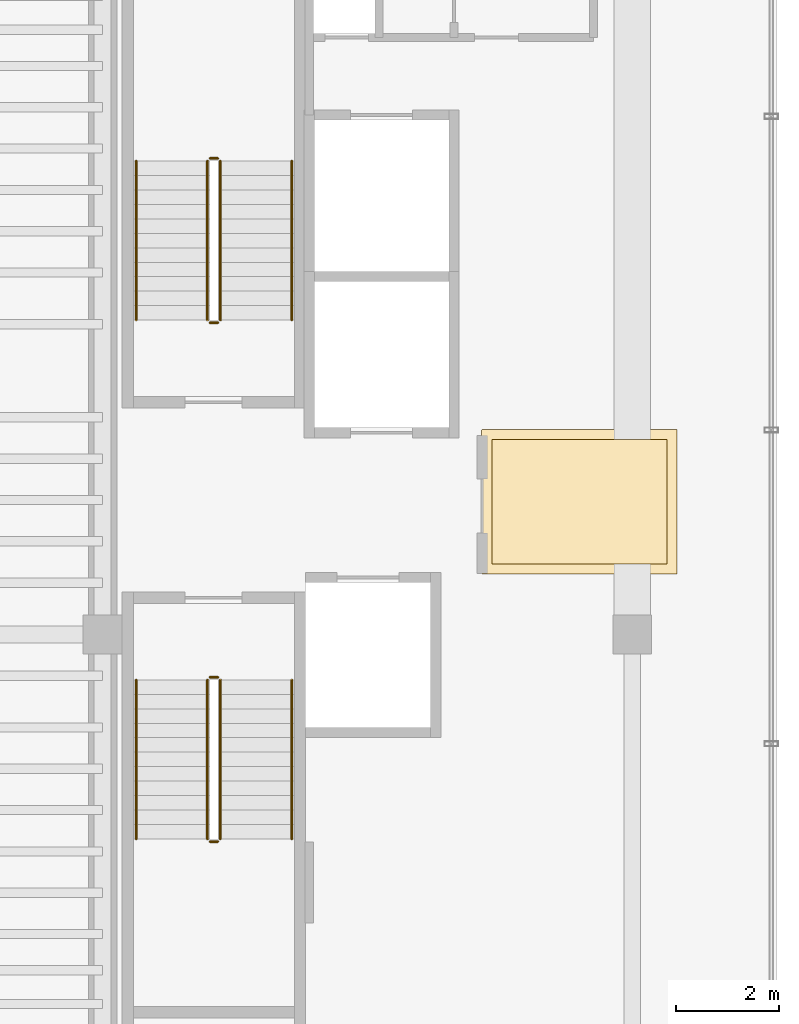
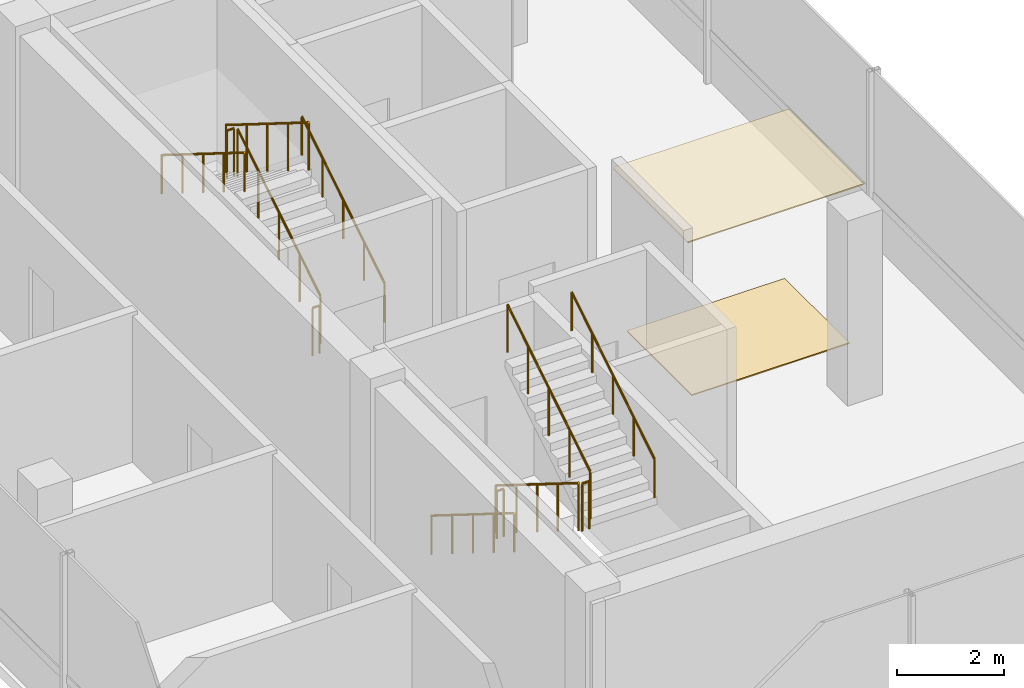
# One storey, part 11 of 11: 12 railings, 2 coverings.
"""IFC4 building model written with IfcOpenShell, lengths in metres."""

from ifc_helpers import new_model, si_unit, direction, frame, origin, origin_2d, place, context, subcontext, project, spatial, polyline, circle, outline, extrude, material, layer, layer_set, type_object, element, save


model = new_model("IFC4")

# Units and contexts
model_context = context("Model", 3, precision=1e-05, world=origin(), true_north=direction((0.0, 1.0)))
body_context = subcontext(model_context, "Body", "Model", "MODEL_VIEW")
ifc_project = project(units=[si_unit("LENGTHUNIT", "METRE"), si_unit("AREAUNIT", "SQUARE_METRE"), si_unit("VOLUMEUNIT", "CUBIC_METRE"), si_unit("PLANEANGLEUNIT", "RADIAN"), si_unit("MASSUNIT", "GRAM", prefix="KILO")], contexts=[model_context])

# Site, building, storey
site_placement = place(None, origin())
site = spatial("IfcSite", under=ifc_project, at=site_placement, CompositionType="ELEMENT")
building_placement = place(site_placement, origin())
building = spatial("IfcBuilding", under=site, at=building_placement, Name="Valdorenza Pilgrim Sanctuary Tower", CompositionType="ELEMENT")
storey_placement = place(building_placement, frame((0.0, 0.0, 299.39990234375)))
storey = spatial("IfcBuildingStorey", under=building, at=storey_placement, Name="L78", CompositionType="ELEMENT", Elevation=299.39990234375)

# Coverings
ifc_material_1 = material(Name="Micro-perforated acoustic mineral ceiling tile", Category="gypsum")
ifc_layer_1 = layer(ifc_material_1, 0.02490234375, Name="Micro-perforated acoustic mineral ceiling tile")
ifc_layer_set_1 = layer_set([ifc_layer_1], Name="Micro-perforated acoustic mineral ceiling tile")
covering_type_1 = type_object("IfcCoveringType", Name="COV-CLG-ACU", PredefinedType="CEILING", material=ifc_layer_set_1)
covering_1_placement = place(storey_placement, frame((0.0, 0.0, 3.66015625)))
element("IfcCovering", 1, at=covering_1_placement, inside=storey, type_object=covering_type_1, Name="L78 Core A Passenger Lift Lobby Acoustic Ceiling", PredefinedType="CEILING", context=body_context, shape_type="SweptSolid", body=[
    extrude(outline(polyline([(-15.31494140625, 1.35009765625), (-15.31494140625, 1.3515625), (-15.314697265625, 1.352783203125), (-15.314453125, 1.3544921875), (-15.31396484375, 1.355712890625), (-15.313232421875, 1.357177734375), (-15.3125, 1.3583984375), (-15.3115234375, 1.359619140625), (-15.310546875, 1.360595703125), (-15.3095703125, 1.361572265625), (-15.308349609375, 1.362548828125), (-15.30712890625, 1.36328125), (-15.3056640625, 1.364013671875), (-15.304443359375, 1.364501953125), (-15.302978515625, 1.36474609375), (-15.301513671875, 1.364990234375), (-15.300048828125, 1.364990234375), (-11.550048828125, 1.364990234375), (-11.548583984375, 1.364990234375), (-11.547119140625, 1.36474609375), (-11.545654296875, 1.364501953125), (-11.544189453125, 1.364013671875), (-11.54296875, 1.36328125), (-11.541748046875, 1.362548828125), (-11.54052734375, 1.361572265625), (-11.539306640625, 1.360595703125), (-11.538330078125, 1.359619140625), (-11.53759765625, 1.3583984375), (-11.536865234375, 1.357177734375), (-11.5361328125, 1.355712890625), (-11.53564453125, 1.3544921875), (-11.535400390625, 1.352783203125), (-11.53515625, 1.3515625), (-11.534912109375, 1.35009765625), (-11.534912109375, -1.419921875), (-11.53515625, -1.42138671875), (-11.535400390625, -1.4228515625), (-11.53564453125, -1.42431640625), (-11.5361328125, -1.42578125), (-11.536865234375, -1.427001953125), (-11.53759765625, -1.42822265625), (-11.538330078125, -1.429443359375), (-11.539306640625, -1.4306640625), (-11.54052734375, -1.431640625), (-11.541748046875, -1.4326171875), (-11.54296875, -1.43310546875), (-11.544189453125, -1.433837890625), (-11.545654296875, -1.434326171875), (-11.547119140625, -1.434814453125), (-11.548583984375, -1.434814453125), (-11.550048828125, -1.43505859375), (-15.298095703125, -1.43505859375), (-15.299560546875, -1.434814453125), (-15.30078125, -1.434814453125), (-15.302490234375, -1.434326171875), (-15.3037109375, -1.433837890625), (-15.30517578125, -1.43310546875), (-15.306396484375, -1.4326171875), (-15.3076171875, -1.431640625), (-15.30859375, -1.4306640625), (-15.3095703125, -1.429443359375), (-15.310546875, -1.42822265625), (-15.311279296875, -1.427001953125), (-15.31201171875, -1.42578125), (-15.3125, -1.42431640625), (-15.312744140625, -1.4228515625), (-15.31298828125, -1.42138671875), (-15.31298828125, -1.419921875), (-15.31298828125, 1.244384765625), (-15.31298828125, 1.24462890625), (-15.313720703125, 1.24609375), (-15.314208984375, 1.24755859375), (-15.314697265625, 1.2490234375), (-15.31494140625, 1.25048828125), (-15.31494140625, 1.251953125), (-15.31494140625, 1.35009765625)])), origin(), (0.0, 0.0, 1.0), 0.02490234375),
])
ifc_material_2 = material(Name="Honed travertine stone flooring", Category="masonry")
ifc_layer_2 = layer(ifc_material_2, 0.030029296875, Name="Honed travertine stone flooring")
ifc_layer_set_2 = layer_set([ifc_layer_2], Name="Honed travertine stone flooring")
covering_type_2 = type_object("IfcCoveringType", Name="COV-FLR-TRV", PredefinedType="FLOORING", material=ifc_layer_set_2)
covering_2_placement = place(storey_placement, origin())
element("IfcCovering", 2, at=covering_2_placement, inside=storey, type_object=covering_type_2, Name="L78 Core A Passenger Lift Lobby Flooring", PredefinedType="FLOORING", context=body_context, shape_type="SweptSolid", body=[
    extrude(outline(polyline([(-15.117919921875, 1.169921875), (-11.72998046875, 1.169921875), (-11.72998046875, -1.239990234375), (-15.117919921875, -1.239990234375), (-15.117919921875, 1.169921875)])), origin(), (0.0, 0.0, 1.0), 0.025146484375),
])

# Railings
ifc_material_3 = material(Name="Stainless steel Grade 316", Category="steel")
railing_type_1 = type_object("IfcRailingType", Name="RLG-GRD-1120", PredefinedType="GUARDRAIL", material=ifc_material_3)
railing_1_placement = place(storey_placement, frame((-20.3701171875, 3.47998046875, 0.175048828125)))
element("IfcRailing", 3, at=railing_1_placement, inside=storey, type_object=railing_type_1, Name="L78 ST-A1 stair guard 1", PredefinedType="GUARDRAIL", context=body_context, shape_type="SweptSolid", body=[
    extrude(circle(Radius=0.02392578125, at=origin_2d()), frame((0.0, 0.0, 1.076171875), z_axis=(0.0, 0.847998304005, 0.529998940003), x_axis=(-1.0, 0.0, 0.0)), (0.0, 0.0, 1.0), 3.632080078125),
    extrude(circle(Radius=0.02099609375, at=origin_2d()), origin(), (0.0, 0.0, 1.0), 1.052001953125),
    extrude(circle(Radius=0.02099609375, at=origin_2d()), frame((0.0, 0.77001953125, 0.481201171875)), (0.0, 0.0, 1.0), 1.052001953125),
    extrude(circle(Radius=0.02099609375, at=origin_2d()), frame((0.0, 1.5400390625, 0.96240234375)), (0.0, 0.0, 1.0), 1.052001953125),
    extrude(circle(Radius=0.02099609375, at=origin_2d()), frame((0.0, 2.31005859375, 1.44384765625)), (0.0, 0.0, 1.0), 1.052001953125),
    extrude(circle(Radius=0.02099609375, at=origin_2d()), frame((0.0, 3.080078125, 1.925048828125)), (0.0, 0.0, 1.0), 1.052001953125),
])
railing_2_placement = place(storey_placement, frame((-20.419921875, 6.610107421875, 2.10009765625)))
element("IfcRailing", 4, at=railing_2_placement, inside=storey, type_object=railing_type_1, Name="L78 ST-A1 stair guard 2", PredefinedType="GUARDRAIL", context=body_context, shape_type="SweptSolid", body=[
    extrude(circle(Radius=0.02392578125, at=origin_2d()), frame((0.0, 0.0, 1.076171875), z_axis=(-1.0, 0.0, 0.0), x_axis=(0.0, -1.0, 0.0)), (0.0, 0.0, 1.0), 0.150146484375),
    extrude(circle(Radius=0.02099609375, at=origin_2d()), origin(), (0.0, 0.0, 1.0), 1.052001953125),
    extrude(circle(Radius=0.02099609375, at=origin_2d()), frame((-0.150146484375, 0.0, 0.0)), (0.0, 0.0, 1.0), 1.052001953125),
])
railing_3_placement = place(storey_placement, frame((-20.6201171875, 6.56005859375, 2.275146484375)))
element("IfcRailing", 5, at=railing_3_placement, inside=storey, type_object=railing_type_1, Name="L78 ST-A1 stair guard 3", PredefinedType="GUARDRAIL", context=body_context, shape_type="SweptSolid", body=[
    extrude(circle(Radius=0.02392578125, at=origin_2d()), frame((0.0, 0.0, 1.076171875), z_axis=(0.0, -0.847998304005, 0.529998940003), x_axis=(1.0, 0.0, 0.0)), (0.0, 0.0, 1.0), 3.632080078125),
    extrude(circle(Radius=0.02099609375, at=origin_2d()), origin(), (0.0, 0.0, 1.0), 1.052001953125),
    extrude(circle(Radius=0.02099609375, at=origin_2d()), frame((0.0, -0.77001953125, 0.481201171875)), (0.0, 0.0, 1.0), 1.052001953125),
    extrude(circle(Radius=0.02099609375, at=origin_2d()), frame((0.0, -1.5400390625, 0.96240234375)), (0.0, 0.0, 1.0), 1.052001953125),
    extrude(circle(Radius=0.02099609375, at=origin_2d()), frame((0.0, -2.31005859375, 1.44384765625)), (0.0, 0.0, 1.0), 1.052001953125),
    extrude(circle(Radius=0.02099609375, at=origin_2d()), frame((0.0, -3.080078125, 1.925048828125)), (0.0, 0.0, 1.0), 1.052001953125),
])
railing_4_placement = place(storey_placement, frame((-20.419921875, 3.429931640625, 0.0)))
element("IfcRailing", 6, at=railing_4_placement, inside=storey, type_object=railing_type_1, Name="L78 ST-A1 stair guard 4", PredefinedType="GUARDRAIL", context=body_context, shape_type="SweptSolid", body=[
    extrude(circle(Radius=0.02392578125, at=origin_2d()), frame((0.0, 0.0, 1.076171875), z_axis=(-1.0, 0.0, 0.0), x_axis=(0.0, -1.0, 0.0)), (0.0, 0.0, 1.0), 0.150146484375),
    extrude(circle(Radius=0.02099609375, at=origin_2d()), origin(), (0.0, 0.0, 1.0), 1.052001953125),
    extrude(circle(Radius=0.02099609375, at=origin_2d()), frame((-0.150146484375, 0.0, 0.0)), (0.0, 0.0, 1.0), 1.052001953125),
])
railing_5_placement = place(storey_placement, frame((-20.6201171875, -3.47998046875, 0.175048828125)))
element("IfcRailing", 7, at=railing_5_placement, inside=storey, type_object=railing_type_1, Name="L78 ST-A2 stair guard 1", PredefinedType="GUARDRAIL", context=body_context, shape_type="SweptSolid", body=[
    extrude(circle(Radius=0.02392578125, at=origin_2d()), frame((0.0, 0.0, 1.076171875), z_axis=(0.0, -0.847998304005, 0.529998940003), x_axis=(1.0, 0.0, 0.0)), (0.0, 0.0, 1.0), 3.632080078125),
    extrude(circle(Radius=0.02099609375, at=origin_2d()), origin(), (0.0, 0.0, 1.0), 1.052001953125),
    extrude(circle(Radius=0.02099609375, at=origin_2d()), frame((0.0, -0.77001953125, 0.481201171875)), (0.0, 0.0, 1.0), 1.052001953125),
    extrude(circle(Radius=0.02099609375, at=origin_2d()), frame((0.0, -1.5400390625, 0.96240234375)), (0.0, 0.0, 1.0), 1.052001953125),
    extrude(circle(Radius=0.02099609375, at=origin_2d()), frame((0.0, -2.31005859375, 1.44384765625)), (0.0, 0.0, 1.0), 1.052001953125),
    extrude(circle(Radius=0.02099609375, at=origin_2d()), frame((0.0, -3.080078125, 1.925048828125)), (0.0, 0.0, 1.0), 1.052001953125),
])
railing_6_placement = place(storey_placement, frame((-20.570068359375, -6.610107421875, 2.10009765625)))
element("IfcRailing", 8, at=railing_6_placement, inside=storey, type_object=railing_type_1, Name="L78 ST-A2 stair guard 2", PredefinedType="GUARDRAIL", context=body_context, shape_type="SweptSolid", body=[
    extrude(circle(Radius=0.02392578125, at=origin_2d()), frame((0.0, 0.0, 1.076171875), z_axis=(1.0, 0.0, 0.0), x_axis=(0.0, 1.0, 0.0)), (0.0, 0.0, 1.0), 0.150146484375),
    extrude(circle(Radius=0.02099609375, at=origin_2d()), origin(), (0.0, 0.0, 1.0), 1.052001953125),
    extrude(circle(Radius=0.02099609375, at=origin_2d()), frame((0.150146484375, 0.0, 0.0)), (0.0, 0.0, 1.0), 1.052001953125),
])
railing_7_placement = place(storey_placement, frame((-20.3701171875, -6.56005859375, 2.275146484375)))
element("IfcRailing", 9, at=railing_7_placement, inside=storey, type_object=railing_type_1, Name="L78 ST-A2 stair guard 3", PredefinedType="GUARDRAIL", context=body_context, shape_type="SweptSolid", body=[
    extrude(circle(Radius=0.02392578125, at=origin_2d()), frame((0.0, 0.0, 1.076171875), z_axis=(0.0, 0.847998304005, 0.529998940003), x_axis=(-1.0, 0.0, 0.0)), (0.0, 0.0, 1.0), 3.632080078125),
    extrude(circle(Radius=0.02099609375, at=origin_2d()), origin(), (0.0, 0.0, 1.0), 1.052001953125),
    extrude(circle(Radius=0.02099609375, at=origin_2d()), frame((0.0, 0.77001953125, 0.481201171875)), (0.0, 0.0, 1.0), 1.052001953125),
    extrude(circle(Radius=0.02099609375, at=origin_2d()), frame((0.0, 1.5400390625, 0.96240234375)), (0.0, 0.0, 1.0), 1.052001953125),
    extrude(circle(Radius=0.02099609375, at=origin_2d()), frame((0.0, 2.31005859375, 1.44384765625)), (0.0, 0.0, 1.0), 1.052001953125),
    extrude(circle(Radius=0.02099609375, at=origin_2d()), frame((0.0, 3.080078125, 1.925048828125)), (0.0, 0.0, 1.0), 1.052001953125),
])
railing_8_placement = place(storey_placement, frame((-20.570068359375, -3.429931640625, 0.0)))
element("IfcRailing", 10, at=railing_8_placement, inside=storey, type_object=railing_type_1, Name="L78 ST-A2 stair guard 4", PredefinedType="GUARDRAIL", context=body_context, shape_type="SweptSolid", body=[
    extrude(circle(Radius=0.02392578125, at=origin_2d()), frame((0.0, 0.0, 1.076171875), z_axis=(1.0, 0.0, 0.0), x_axis=(0.0, 1.0, 0.0)), (0.0, 0.0, 1.0), 0.150146484375),
    extrude(circle(Radius=0.02099609375, at=origin_2d()), origin(), (0.0, 0.0, 1.0), 1.052001953125),
    extrude(circle(Radius=0.02099609375, at=origin_2d()), frame((0.150146484375, 0.0, 0.0)), (0.0, 0.0, 1.0), 1.052001953125),
])
ifc_material_4 = material(Name="Brushed stainless steel Grade 316", Category="steel")
railing_type_2 = type_object("IfcRailingType", Name="RLG-HND-920", PredefinedType="HANDRAIL", material=ifc_material_4)
railing_9_placement = place(storey_placement, frame((-18.989990234375, 3.47998046875, 0.175048828125)))
element("IfcRailing", 11, at=railing_9_placement, inside=storey, type_object=railing_type_2, Name="L78 ST-A1 stair handrail 1", PredefinedType="HANDRAIL", context=body_context, shape_type="SweptSolid", body=[
    extrude(circle(Radius=0.02392578125, at=origin_2d()), frame((0.0, 0.0, 0.8759765625), z_axis=(0.0, 0.847998304005, 0.529998940003), x_axis=(-1.0, 0.0, 0.0)), (0.0, 0.0, 1.0), 3.632080078125),
    extrude(circle(Radius=0.02099609375, at=origin_2d()), origin(), (0.0, 0.0, 1.0), 0.851806640625),
    extrude(circle(Radius=0.02099609375, at=origin_2d()), frame((0.0, 0.77001953125, 0.481201171875)), (0.0, 0.0, 1.0), 0.851806640625),
    extrude(circle(Radius=0.02099609375, at=origin_2d()), frame((0.0, 1.5400390625, 0.96240234375)), (0.0, 0.0, 1.0), 0.851806640625),
    extrude(circle(Radius=0.02099609375, at=origin_2d()), frame((0.0, 2.31005859375, 1.44384765625)), (0.0, 0.0, 1.0), 0.851806640625),
    extrude(circle(Radius=0.02099609375, at=origin_2d()), frame((0.0, 3.080078125, 1.925048828125)), (0.0, 0.0, 1.0), 0.851806640625),
])
for number, where, name in (
    (12, (-22.0, 6.56005859375, 2.275146484375), "L78 ST-A1 stair handrail 2"),
    (13, (-22.0, -3.47998046875, 0.175048828125), "L78 ST-A2 stair handrail 1"),
):
    element("IfcRailing", number, at=place(storey_placement, frame(where)), inside=storey, type_object=railing_type_2, Name=name, PredefinedType="HANDRAIL", context=body_context, shape_type="SweptSolid", body=[
        extrude(circle(Radius=0.02392578125, at=origin_2d()), frame((0.0, 0.0, 0.8759765625), z_axis=(0.0, -0.847998304005, 0.529998940003), x_axis=(1.0, 0.0, 0.0)), (0.0, 0.0, 1.0), 3.632080078125),
        extrude(circle(Radius=0.02099609375, at=origin_2d()), origin(), (0.0, 0.0, 1.0), 0.851806640625),
        extrude(circle(Radius=0.02099609375, at=origin_2d()), frame((0.0, -0.77001953125, 0.481201171875)), (0.0, 0.0, 1.0), 0.851806640625),
        extrude(circle(Radius=0.02099609375, at=origin_2d()), frame((0.0, -1.5400390625, 0.96240234375)), (0.0, 0.0, 1.0), 0.851806640625),
        extrude(circle(Radius=0.02099609375, at=origin_2d()), frame((0.0, -2.31005859375, 1.44384765625)), (0.0, 0.0, 1.0), 0.851806640625),
        extrude(circle(Radius=0.02099609375, at=origin_2d()), frame((0.0, -3.080078125, 1.925048828125)), (0.0, 0.0, 1.0), 0.851806640625),
    ])
railing_10_placement = place(storey_placement, frame((-18.989990234375, -6.56005859375, 2.275146484375)))
element("IfcRailing", 14, at=railing_10_placement, inside=storey, type_object=railing_type_2, Name="L78 ST-A2 stair handrail 2", PredefinedType="HANDRAIL", context=body_context, shape_type="SweptSolid", body=[
    extrude(circle(Radius=0.02392578125, at=origin_2d()), frame((0.0, 0.0, 0.8759765625), z_axis=(0.0, 0.847998304005, 0.529998940003), x_axis=(-1.0, 0.0, 0.0)), (0.0, 0.0, 1.0), 3.632080078125),
    extrude(circle(Radius=0.02099609375, at=origin_2d()), origin(), (0.0, 0.0, 1.0), 0.851806640625),
    extrude(circle(Radius=0.02099609375, at=origin_2d()), frame((0.0, 0.77001953125, 0.481201171875)), (0.0, 0.0, 1.0), 0.851806640625),
    extrude(circle(Radius=0.02099609375, at=origin_2d()), frame((0.0, 1.5400390625, 0.96240234375)), (0.0, 0.0, 1.0), 0.851806640625),
    extrude(circle(Radius=0.02099609375, at=origin_2d()), frame((0.0, 2.31005859375, 1.44384765625)), (0.0, 0.0, 1.0), 0.851806640625),
    extrude(circle(Radius=0.02099609375, at=origin_2d()), frame((0.0, 3.080078125, 1.925048828125)), (0.0, 0.0, 1.0), 0.851806640625),
])

save(model, "model.ifc")
